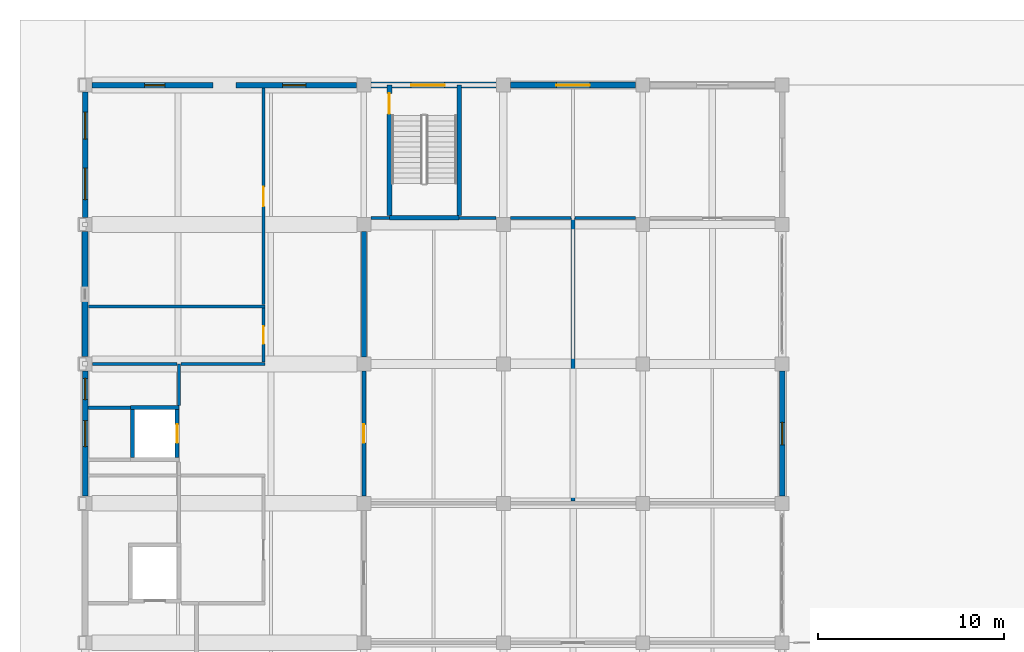
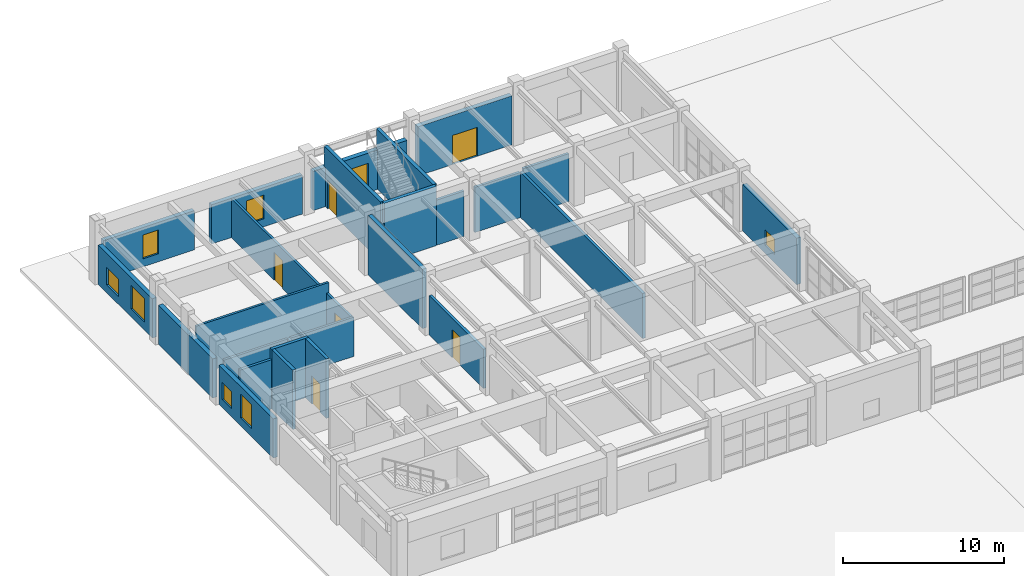
# One storey, part 91 of 122: 28 walls, 7 doors, 7 windows, 14 openings.
"""IFC4 building model written with IfcOpenShell, lengths in metres."""

from ifc_helpers import new_model, si_unit, direction, frame, frame_2d, origin, place, context, subcontext, project, spatial, rectangle, extrude, material, layer, layer_set, type_object, element, fill, save


model = new_model("IFC4")

# Units and contexts
model_context = context("Model", 3, precision=1e-05, world=origin(), true_north=direction((0.0, 1.0)))
body_context = subcontext(model_context, "Body", "Model", "MODEL_VIEW")
ifc_project = project(units=[si_unit("LENGTHUNIT", "METRE"), si_unit("AREAUNIT", "SQUARE_METRE"), si_unit("VOLUMEUNIT", "CUBIC_METRE"), si_unit("PLANEANGLEUNIT", "RADIAN"), si_unit("MASSUNIT", "GRAM", prefix="KILO")], contexts=[model_context])

# Site, building, storey
site_placement = place(None, origin())
site = spatial("IfcSite", under=ifc_project, at=site_placement, CompositionType="ELEMENT")
building_placement = place(site_placement, origin())
building = spatial("IfcBuilding", under=site, at=building_placement, Name="Qasida Concert Hall", CompositionType="ELEMENT")
storey_placement = place(building_placement, origin())
storey = spatial("IfcBuildingStorey", under=building, at=storey_placement, Name="L00", CompositionType="ELEMENT", Elevation=0.0)

# Walls
ifc_material_1 = material(Name="Concrete C40/50", Category="concrete")
ifc_layer_1 = layer(ifc_material_1, 0.219970703125, Name="Concrete C40/50")
ifc_layer_set_1 = layer_set([ifc_layer_1], Name="Concrete C40/50")
wall_type_1 = type_object("IfcWallType", Name="WL-CW-220", PredefinedType="SOLIDWALL", material=ifc_layer_set_1)
wall_1_placement = place(storey_placement, frame((2.43994140625, 95.14990234375, 0.0), z_axis=(0.0, 0.0, 1.0), x_axis=(1.0, 0.0, 0.0)))
element("IfcWall", 1, at=wall_1_placement, inside=storey, type_object=wall_type_1, Name="L00 LF-07 lift shaft wall N", PredefinedType="SOLIDWALL", context=body_context, shape_type="SweptSolid", body=[
    extrude(rectangle(XDim=2.6201171875, YDim=0.219970703125, at=frame_2d((1.31005859375, 0.0))), origin(), (0.0, 0.0, 1.0), 4.5),
])
wall_2_placement = place(storey_placement, frame((2.550048828125, 92.4599609375, 0.0), z_axis=(0.0, 0.0, 1.0), x_axis=(0.0, 1.0, 0.0)))
element("IfcWall", 2, at=wall_2_placement, inside=storey, type_object=wall_type_1, Name="L00 LF-07 lift shaft wall W", PredefinedType="SOLIDWALL", context=body_context, shape_type="SweptSolid", body=[
    extrude(rectangle(XDim=2.580078125, YDim=0.219970703125, at=frame_2d((1.2900390625, 0.0))), origin(), (0.0, 0.0, 1.0), 4.5),
])

# Wall, opening, door
wall_3_placement = place(storey_placement, frame((4.949951171875, 92.4599609375, 0.0), z_axis=(0.0, 0.0, 1.0), x_axis=(0.0, 1.0, 0.0)))
wall_3 = element("IfcWall", 3, at=wall_3_placement, inside=storey, type_object=wall_type_1, Name="L00 LF-07 lift shaft wall E", PredefinedType="SOLIDWALL", context=body_context, shape_type="SweptSolid", body=[
    extrude(rectangle(XDim=2.580078125, YDim=0.219970703125, at=frame_2d((1.2900390625, 0.0))), origin(), (0.0, 0.0, 1.0), 4.5),
])
opening_1_placement = place(wall_3_placement, frame((0.7900390625, 0.0, 0.0)))
opening_1 = element("IfcOpeningElement", 4, at=opening_1_placement, cuts=wall_3, Name="Opening LD-100", PredefinedType="OPENING", context=body_context, shape_type="SweptSolid", body=[
    extrude(rectangle(XDim=1.0, YDim=2.14990234375, at=frame_2d((0.5, 1.074951171875))), frame((0.0, 0.119873046875, 0.0), z_axis=(0.0, -1.0, 0.0), x_axis=(1.0, 0.0, 0.0)), (0.0, 0.0, 1.0), 0.239990234375),
])
ifc_material_2 = material(Name="Brushed bronze passenger lift landing door", Category="steel")
door_type_1 = type_object("IfcDoorType", Name="LD-100", OperationType="SLIDING_TO_LEFT", PredefinedType="DOOR", material=ifc_material_2)
door_1_placement = place(opening_1_placement, origin())
door_1 = element("IfcDoor", 5, at=door_1_placement, inside=storey, type_object=door_type_1, Name="Lift landing door LF-07 L00", OperationType="SLIDING_TO_LEFT", OverallHeight=2.14990234375, OverallWidth=1.0, PredefinedType="DOOR", context=body_context, shape_type="SweptSolid", body=[
    extrude(rectangle(XDim=1.0, YDim=2.14990234375, at=frame_2d((0.5, 1.074951171875))), frame((0.0, 0.02490234375, 0.0), z_axis=(0.0, -1.0, 0.0), x_axis=(1.0, 0.0, 0.0)), (0.0, 0.0, 1.0), 0.050048828125),
])
fill(opening_1, door_1)

# Wall
ifc_layer_2 = layer(ifc_material_1, 0.25, Name="Concrete C40/50")
ifc_layer_set_2 = layer_set([ifc_layer_2], Name="Concrete C40/50")
wall_type_2 = type_object("IfcWallType", Name="WL-CW-250", PredefinedType="SOLIDWALL", material=ifc_layer_set_2)
wall_4_placement = place(storey_placement, frame((16.3798828125, 105.35498046875, 0.0), z_axis=(0.0, 0.0, 1.0), x_axis=(1.0, 0.0, 0.0)))
element("IfcWall", 6, at=wall_4_placement, inside=storey, type_object=wall_type_2, Name="L00 ST-06 stairwell wall S", PredefinedType="SOLIDWALL", context=body_context, shape_type="SweptSolid", body=[
    extrude(rectangle(XDim=3.740234375, YDim=0.25, at=frame_2d((1.8701171875, 0.0))), origin(), (0.0, 0.0, 1.0), 4.5),
])

# Wall, opening, door
wall_5_placement = place(storey_placement, frame((16.375, 105.47998046875, 0.0), z_axis=(0.0, 0.0, 1.0), x_axis=(0.0, 1.0, 0.0)))
wall_5 = element("IfcWall", 7, at=wall_5_placement, inside=storey, type_object=wall_type_2, Name="L00 ST-06 stairwell wall W", PredefinedType="SOLIDWALL", context=body_context, shape_type="SweptSolid", body=[
    extrude(rectangle(XDim=7.02001953125, YDim=0.25, at=frame_2d((3.510009765625, 0.0))), origin(), (0.0, 0.0, 1.0), 4.5),
])
opening_2_placement = place(wall_5_placement, frame((5.469970703125, 0.0, 0.0)))
opening_2 = element("IfcOpeningElement", 8, at=opening_2_placement, cuts=wall_5, Name="Opening FD-110", PredefinedType="OPENING", context=body_context, shape_type="SweptSolid", body=[
    extrude(rectangle(XDim=1.10009765625, YDim=2.14990234375, at=frame_2d((0.550048828125, 1.074951171875))), frame((0.0, 0.135009765625, 0.0), z_axis=(0.0, -1.0, 0.0), x_axis=(1.0, 0.0, 0.0)), (0.0, 0.0, 1.0), 0.27001953125),
])
ifc_material_3 = material(Name="Steel fire-rated stair/lobby door set", Category="steel")
door_type_2 = type_object("IfcDoorType", Name="FD-110", OperationType="NOTDEFINED", PredefinedType="DOOR", material=ifc_material_3)
door_2_placement = place(opening_2_placement, origin())
door_2 = element("IfcDoor", 9, at=door_2_placement, inside=storey, type_object=door_type_2, Name="L00 ST-06 rated stair door", OperationType="SINGLE_SWING_LEFT", OverallHeight=2.14990234375, OverallWidth=1.10009765625, PredefinedType="DOOR", context=body_context, shape_type="SweptSolid", body=[
    extrude(rectangle(XDim=1.10009765625, YDim=2.14990234375, at=frame_2d((0.550048828125, 1.074951171875))), frame((0.0, 0.02490234375, 0.0), z_axis=(0.0, -1.0, 0.0), x_axis=(1.0, 0.0, 0.0)), (0.0, 0.0, 1.0), 0.050048828125),
])
fill(opening_2, door_2)

# Wall
wall_6_placement = place(storey_placement, frame((20.125, 105.47998046875, 0.0), z_axis=(0.0, 0.0, 1.0), x_axis=(0.0, 1.0, 0.0)))
element("IfcWall", 10, at=wall_6_placement, inside=storey, type_object=wall_type_2, Name="L00 ST-06 stairwell wall E", PredefinedType="SOLIDWALL", context=body_context, shape_type="SweptSolid", body=[
    extrude(rectangle(XDim=7.02001953125, YDim=0.25, at=frame_2d((3.510009765625, 0.0))), origin(), (0.0, 0.0, 1.0), 4.5),
])

# Wall, opening, window
ifc_material_4 = material(Name="Precast concrete C40/50", Category="concrete")
ifc_layer_3 = layer(ifc_material_4, 0.300048828125, Name="Precast concrete C40/50")
ifc_layer_set_3 = layer_set([ifc_layer_3], Name="Precast concrete C40/50")
wall_type_3 = type_object("IfcWallType", Name="WL-EW-300", PredefinedType="SOLIDWALL", material=ifc_layer_set_3)
wall_7_placement = place(storey_placement, frame((0.385009765625, 112.5, 0.0), z_axis=(0.0, 0.0, 1.0), x_axis=(1.0, 0.0, 0.0)))
wall_7 = element("IfcWall", 11, at=wall_7_placement, inside=storey, type_object=wall_type_3, Name="L00 exterior wall EW-300 0229", PredefinedType="SOLIDWALL", context=body_context, shape_type="SweptSolid", body=[
    extrude(rectangle(XDim=6.494873046875, YDim=0.300048828125, at=frame_2d((3.24755859375, 0.0))), origin(), (0.0, 0.0, 1.0), 2.969970703125),
])
opening_3_placement = place(wall_7_placement, frame((2.81494140625, 0.0, 0.60009765625)))
opening_3 = element("IfcOpeningElement", 12, at=opening_3_placement, cuts=wall_7, Name="Opening WN-01", PredefinedType="OPENING", context=body_context, shape_type="SweptSolid", body=[
    extrude(rectangle(XDim=1.10009765625, YDim=1.800048828125, at=frame_2d((0.550048828125, 0.89990234375))), frame((0.0, 0.159912109375, 0.0), z_axis=(0.0, -1.0, 0.0), x_axis=(1.0, 0.0, 0.0)), (0.0, 0.0, 1.0), 0.320068359375),
])
ifc_material_5 = material(Name="Bronze-anodized aluminium frame with acoustic low-E glazing", Category="aluminium")
window_type_1 = type_object("IfcWindowType", Name="WN-01", PartitioningType="SINGLE_PANEL", PredefinedType="WINDOW", material=ifc_material_5)
window_1_placement = place(opening_3_placement, origin())
window_1 = element("IfcWindow", 13, at=window_1_placement, inside=storey, type_object=window_type_1, Name="L00 window WN-01 0110", OverallHeight=1.800048828125, OverallWidth=1.10009765625, PartitioningType="SINGLE_PANEL", PredefinedType="WINDOW", context=body_context, shape_type="SweptSolid", body=[
    extrude(rectangle(XDim=1.10009765625, YDim=1.800048828125, at=frame_2d((0.550048828125, 0.89990234375))), frame((0.0, 0.030029296875, 0.0), z_axis=(0.0, -1.0, 0.0), x_axis=(1.0, 0.0, 0.0)), (0.0, 0.0, 1.0), 0.06005859375),
])
fill(opening_3, window_1)

wall_8_placement = place(storey_placement, frame((8.1201171875, 112.5, 0.0), z_axis=(0.0, 0.0, 1.0), x_axis=(1.0, 0.0, 0.0)))
wall_8 = element("IfcWall", 14, at=wall_8_placement, inside=storey, type_object=wall_type_3, Name="L00 exterior wall EW-300 0231", PredefinedType="SOLIDWALL", context=body_context, shape_type="SweptSolid", body=[
    extrude(rectangle(XDim=6.494873046875, YDim=0.300048828125, at=frame_2d((3.24755859375, 0.0))), origin(), (0.0, 0.0, 1.0), 2.969970703125),
])
opening_4_placement = place(wall_8_placement, frame((2.5048828125, 0.0, 0.60009765625)))
opening_4 = element("IfcOpeningElement", 15, at=opening_4_placement, cuts=wall_8, Name="Opening WN-02", PredefinedType="OPENING", context=body_context, shape_type="SweptSolid", body=[
    extrude(rectangle(XDim=1.25, YDim=1.800048828125, at=frame_2d((0.625, 0.89990234375))), frame((0.0, 0.159912109375, 0.0), z_axis=(0.0, -1.0, 0.0), x_axis=(1.0, 0.0, 0.0)), (0.0, 0.0, 1.0), 0.320068359375),
])
window_type_2 = type_object("IfcWindowType", Name="WN-02", PartitioningType="SINGLE_PANEL", PredefinedType="WINDOW", material=ifc_material_5)
window_2_placement = place(opening_4_placement, origin())
window_2 = element("IfcWindow", 16, at=window_2_placement, inside=storey, type_object=window_type_2, Name="L00 window WN-02 0112", OverallHeight=1.800048828125, OverallWidth=1.25, PartitioningType="SINGLE_PANEL", PredefinedType="WINDOW", context=body_context, shape_type="SweptSolid", body=[
    extrude(rectangle(XDim=1.25, YDim=1.800048828125, at=frame_2d((0.625, 0.89990234375))), frame((0.0, 0.030029296875, 0.0), z_axis=(0.0, -1.0, 0.0), x_axis=(1.0, 0.0, 0.0)), (0.0, 0.0, 1.0), 0.06005859375),
])
fill(opening_4, window_2)

# Wall, openings, windows
wall_9_placement = place(storey_placement, frame((0.0, 90.385009765625, 0.0), z_axis=(0.0, 0.0, 1.0), x_axis=(0.0, 1.0, 0.0)))
wall_9 = element("IfcWall", 17, at=wall_9_placement, inside=storey, type_object=wall_type_3, Name="L00 exterior wall EW-300 0239", PredefinedType="SOLIDWALL", context=body_context, shape_type="SweptSolid", body=[
    extrude(rectangle(XDim=6.72998046875, YDim=0.300048828125, at=frame_2d((3.364990234375, 0.0))), origin(), (0.0, 0.0, 1.0), 2.969970703125),
])
opening_5_placement = place(wall_9_placement, frame((2.6650390625, 0.0, 0.60009765625)))
opening_5 = element("IfcOpeningElement", 18, at=opening_5_placement, cuts=wall_9, Name="Opening WN-03", PredefinedType="OPENING", context=body_context, shape_type="SweptSolid", body=[
    extrude(rectangle(XDim=1.39990234375, YDim=1.800048828125, at=frame_2d((0.699951171875, 0.89990234375))), frame((0.0, 0.159912109375, 0.0), z_axis=(0.0, -1.0, 0.0), x_axis=(1.0, 0.0, 0.0)), (0.0, 0.0, 1.0), 0.320068359375),
])
opening_6_placement = place(wall_9_placement, frame((5.1875, 0.0, 0.60009765625)))
opening_6 = element("IfcOpeningElement", 19, at=opening_6_placement, cuts=wall_9, Name="Opening WN-09", PredefinedType="OPENING", context=body_context, shape_type="SweptSolid", body=[
    extrude(rectangle(XDim=1.14990234375, YDim=1.300048828125, at=frame_2d((0.574951171875, 0.64990234375))), frame((0.0, 0.159912109375, 0.0), z_axis=(0.0, -1.0, 0.0), x_axis=(1.0, 0.0, 0.0)), (0.0, 0.0, 1.0), 0.320068359375),
])
window_type_3 = type_object("IfcWindowType", Name="WN-03", PartitioningType="SINGLE_PANEL", PredefinedType="WINDOW", material=ifc_material_5)
window_3_placement = place(opening_5_placement, origin())
window_3 = element("IfcWindow", 20, at=window_3_placement, inside=storey, type_object=window_type_3, Name="L00 window WN-03 0116", OverallHeight=1.800048828125, OverallWidth=1.39990234375, PartitioningType="SINGLE_PANEL", PredefinedType="WINDOW", context=body_context, shape_type="SweptSolid", body=[
    extrude(rectangle(XDim=1.39990234375, YDim=1.800048828125, at=frame_2d((0.699951171875, 0.89990234375))), frame((0.0, 0.030029296875, 0.0), z_axis=(0.0, -1.0, 0.0), x_axis=(1.0, 0.0, 0.0)), (0.0, 0.0, 1.0), 0.06005859375),
])
fill(opening_5, window_3)
window_type_4 = type_object("IfcWindowType", Name="WN-09", PartitioningType="SINGLE_PANEL", PredefinedType="WINDOW", material=ifc_material_5)
window_4_placement = place(opening_6_placement, origin())
window_4 = element("IfcWindow", 21, at=window_4_placement, inside=storey, type_object=window_type_4, Name="L00 window WN-09 0117", OverallHeight=1.300048828125, OverallWidth=1.14990234375, PartitioningType="SINGLE_PANEL", PredefinedType="WINDOW", context=body_context, shape_type="SweptSolid", body=[
    extrude(rectangle(XDim=1.14990234375, YDim=1.300048828125, at=frame_2d((0.574951171875, 0.64990234375))), frame((0.0, 0.030029296875, 0.0), z_axis=(0.0, -1.0, 0.0), x_axis=(1.0, 0.0, 0.0)), (0.0, 0.0, 1.0), 0.06005859375),
])
fill(opening_6, window_4)

# Wall, opening, window
wall_10_placement = place(storey_placement, frame((37.5, 90.385009765625, 0.0), z_axis=(0.0, 0.0, 1.0), x_axis=(0.0, 1.0, 0.0)))
wall_10 = element("IfcWall", 22, at=wall_10_placement, inside=storey, type_object=wall_type_3, Name="L00 exterior wall EW-300 0240", PredefinedType="SOLIDWALL", context=body_context, shape_type="SweptSolid", body=[
    extrude(rectangle(XDim=6.72998046875, YDim=0.300048828125, at=frame_2d((3.364990234375, 0.0))), origin(), (0.0, 0.0, 1.0), 3.52001953125),
])
opening_7_placement = place(wall_10_placement, frame((2.764892578125, 0.0, 0.60009765625)))
opening_7 = element("IfcOpeningElement", 23, at=opening_7_placement, cuts=wall_10, Name="Opening WN-17", PredefinedType="OPENING", context=body_context, shape_type="SweptSolid", body=[
    extrude(rectangle(XDim=1.199951171875, YDim=1.199951171875, at=frame_2d((0.60009765625, 0.60009765625))), frame((0.0, 0.159912109375, 0.0), z_axis=(0.0, -1.0, 0.0), x_axis=(1.0, 0.0, 0.0)), (0.0, 0.0, 1.0), 0.320068359375),
])
window_type_5 = type_object("IfcWindowType", Name="WN-17", PartitioningType="SINGLE_PANEL", PredefinedType="WINDOW", material=ifc_material_5)
window_5_placement = place(opening_7_placement, origin())
window_5 = element("IfcWindow", 24, at=window_5_placement, inside=storey, type_object=window_type_5, Name="L00 window WN-17 0118", OverallHeight=1.199951171875, OverallWidth=1.199951171875, PartitioningType="SINGLE_PANEL", PredefinedType="WINDOW", context=body_context, shape_type="SweptSolid", body=[
    extrude(rectangle(XDim=1.199951171875, YDim=1.199951171875, at=frame_2d((0.60009765625, 0.60009765625))), frame((0.0, 0.030029296875, 0.0), z_axis=(0.0, -1.0, 0.0), x_axis=(1.0, 0.0, 0.0)), (0.0, 0.0, 1.0), 0.06005859375),
])
fill(opening_7, window_5)

# Wall, openings, windows
wall_11_placement = place(storey_placement, frame((0.0, 105.385009765625, 0.0), z_axis=(0.0, 0.0, 1.0), x_axis=(0.0, 1.0, 0.0)))
wall_11 = element("IfcWall", 25, at=wall_11_placement, inside=storey, type_object=wall_type_3, Name="L00 exterior wall EW-300 0242", PredefinedType="SOLIDWALL", context=body_context, shape_type="SweptSolid", body=[
    extrude(rectangle(XDim=6.72998046875, YDim=0.300048828125, at=frame_2d((3.364990234375, 0.0))), origin(), (0.0, 0.0, 1.0), 2.969970703125),
])
opening_8_placement = place(wall_11_placement, frame((0.949951171875, 0.0, 0.60009765625)))
opening_8 = element("IfcOpeningElement", 26, at=opening_8_placement, cuts=wall_11, Name="Opening WN-05", PredefinedType="OPENING", context=body_context, shape_type="SweptSolid", body=[
    extrude(rectangle(XDim=1.699951171875, YDim=1.800048828125, at=frame_2d((0.85009765625, 0.89990234375))), frame((0.0, 0.159912109375, 0.0), z_axis=(0.0, -1.0, 0.0), x_axis=(1.0, 0.0, 0.0)), (0.0, 0.0, 1.0), 0.320068359375),
])
opening_9_placement = place(wall_11_placement, frame((4.205078125, 0.0, 0.60009765625)))
opening_9 = element("IfcOpeningElement", 27, at=opening_9_placement, cuts=wall_11, Name="Opening WN-11", PredefinedType="OPENING", context=body_context, shape_type="SweptSolid", body=[
    extrude(rectangle(XDim=1.449951171875, YDim=1.300048828125, at=frame_2d((0.72509765625, 0.64990234375))), frame((0.0, 0.159912109375, 0.0), z_axis=(0.0, -1.0, 0.0), x_axis=(1.0, 0.0, 0.0)), (0.0, 0.0, 1.0), 0.320068359375),
])
window_type_6 = type_object("IfcWindowType", Name="WN-05", PartitioningType="SINGLE_PANEL", PredefinedType="WINDOW", material=ifc_material_5)
window_6_placement = place(opening_8_placement, origin())
window_6 = element("IfcWindow", 28, at=window_6_placement, inside=storey, type_object=window_type_6, Name="L00 window WN-05 0119", OverallHeight=1.800048828125, OverallWidth=1.699951171875, PartitioningType="SINGLE_PANEL", PredefinedType="WINDOW", context=body_context, shape_type="SweptSolid", body=[
    extrude(rectangle(XDim=1.699951171875, YDim=1.800048828125, at=frame_2d((0.85009765625, 0.89990234375))), frame((0.0, 0.030029296875, 0.0), z_axis=(0.0, -1.0, 0.0), x_axis=(1.0, 0.0, 0.0)), (0.0, 0.0, 1.0), 0.06005859375),
])
fill(opening_8, window_6)
window_type_7 = type_object("IfcWindowType", Name="WN-11", PartitioningType="SINGLE_PANEL", PredefinedType="WINDOW", material=ifc_material_5)
window_7_placement = place(opening_9_placement, origin())
window_7 = element("IfcWindow", 29, at=window_7_placement, inside=storey, type_object=window_type_7, Name="L00 window WN-11 0120", OverallHeight=1.300048828125, OverallWidth=1.449951171875, PartitioningType="SINGLE_PANEL", PredefinedType="WINDOW", context=body_context, shape_type="SweptSolid", body=[
    extrude(rectangle(XDim=1.449951171875, YDim=1.300048828125, at=frame_2d((0.72509765625, 0.64990234375))), frame((0.0, 0.030029296875, 0.0), z_axis=(0.0, -1.0, 0.0), x_axis=(1.0, 0.0, 0.0)), (0.0, 0.0, 1.0), 0.06005859375),
])
fill(opening_9, window_7)

# Wall
ifc_layer_4 = layer(ifc_material_4, 0.320068359375, Name="Precast concrete C40/50")
ifc_layer_set_4 = layer_set([ifc_layer_4], Name="Precast concrete C40/50")
wall_type_4 = type_object("IfcWallType", Name="WL-EW-320", PredefinedType="SOLIDWALL", material=ifc_layer_set_4)
wall_12_placement = place(storey_placement, frame((0.0, 97.885009765625, 0.0), z_axis=(0.0, 0.0, 1.0), x_axis=(0.0, 1.0, 0.0)))
element("IfcWall", 30, at=wall_12_placement, inside=storey, type_object=wall_type_4, Name="L00 exterior wall EW-320 0241", PredefinedType="SOLIDWALL", context=body_context, shape_type="SweptSolid", body=[
    extrude(rectangle(XDim=6.72998046875, YDim=0.320068359375, at=frame_2d((3.364990234375, 0.0))), origin(), (0.0, 0.0, 1.0), 2.969970703125),
])

# Wall, opening, door
ifc_layer_5 = layer(ifc_material_4, 0.340087890625, Name="Precast concrete C40/50")
ifc_layer_set_5 = layer_set([ifc_layer_5], Name="Precast concrete C40/50")
wall_type_5 = type_object("IfcWallType", Name="WL-EW-340", PredefinedType="SOLIDWALL", material=ifc_layer_set_5)
wall_13_placement = place(storey_placement, frame((15.385009765625, 112.5, 0.0), z_axis=(0.0, 0.0, 1.0), x_axis=(1.0, 0.0, 0.0)))
wall_13 = element("IfcWall", 31, at=wall_13_placement, inside=storey, type_object=wall_type_5, Name="L00 exterior wall EW-340 0232", PredefinedType="SOLIDWALL", context=body_context, shape_type="SweptSolid", body=[
    extrude(rectangle(XDim=6.72998046875, YDim=0.340087890625, at=frame_2d((3.364990234375, 0.0))), origin(), (0.0, 0.0, 1.0), 2.969970703125),
])
opening_10_placement = place(wall_13_placement, frame((2.152099609375, 0.0, 0.0)))
opening_10 = element("IfcOpeningElement", 32, at=opening_10_placement, cuts=wall_13, Name="Opening ED-180", PredefinedType="OPENING", context=body_context, shape_type="SweptSolid", body=[
    extrude(rectangle(XDim=1.800048828125, YDim=2.199951171875, at=frame_2d((0.89990234375, 1.10009765625))), frame((0.0, 0.179931640625, 0.0), z_axis=(0.0, -1.0, 0.0), x_axis=(1.0, 0.0, 0.0)), (0.0, 0.0, 1.0), 0.360107421875),
])
ifc_material_6 = material(Name="Patinated architectural bronze and laminated safety glass", Category="glass")
door_type_3 = type_object("IfcDoorType", Name="ED-180", OperationType="NOTDEFINED", PredefinedType="DOOR", material=ifc_material_6)
door_3_placement = place(opening_10_placement, origin())
door_3 = element("IfcDoor", 33, at=door_3_placement, inside=storey, type_object=door_type_3, Name="Exit stair ST-06 final discharge door", OperationType="SINGLE_SWING_RIGHT", OverallHeight=2.199951171875, OverallWidth=1.800048828125, PredefinedType="DOOR", context=body_context, shape_type="SweptSolid", body=[
    extrude(rectangle(XDim=1.800048828125, YDim=2.199951171875, at=frame_2d((0.89990234375, 1.10009765625))), frame((0.0, 0.02490234375, 0.0), z_axis=(0.0, -1.0, 0.0), x_axis=(1.0, 0.0, 0.0)), (0.0, 0.0, 1.0), 0.050048828125),
])
fill(opening_10, door_3)

wall_14_placement = place(storey_placement, frame((22.885009765625, 112.5, 0.0), z_axis=(0.0, 0.0, 1.0), x_axis=(1.0, 0.0, 0.0)))
wall_14 = element("IfcWall", 34, at=wall_14_placement, inside=storey, type_object=wall_type_5, Name="L00 exterior wall EW-340 0234", PredefinedType="SOLIDWALL", context=body_context, shape_type="SweptSolid", body=[
    extrude(rectangle(XDim=6.72998046875, YDim=0.340087890625, at=frame_2d((3.364990234375, 0.0))), origin(), (0.0, 0.0, 1.0), 3.719970703125),
])
opening_11_placement = place(wall_14_placement, frame((2.465087890625, 0.0, 0.0)))
opening_11 = element("IfcOpeningElement", 35, at=opening_11_placement, cuts=wall_14, Name="Opening ED-180", PredefinedType="OPENING", context=body_context, shape_type="SweptSolid", body=[
    extrude(rectangle(XDim=1.800048828125, YDim=2.199951171875, at=frame_2d((0.89990234375, 1.10009765625))), frame((0.0, 0.179931640625, 0.0), z_axis=(0.0, -1.0, 0.0), x_axis=(1.0, 0.0, 0.0)), (0.0, 0.0, 1.0), 0.360107421875),
])
door_4_placement = place(opening_11_placement, origin())
door_4 = element("IfcDoor", 36, at=door_4_placement, inside=storey, type_object=door_type_3, Name="Artists and Fire Command north exit door", OperationType="SINGLE_SWING_LEFT", OverallHeight=2.199951171875, OverallWidth=1.800048828125, PredefinedType="DOOR", context=body_context, shape_type="SweptSolid", body=[
    extrude(rectangle(XDim=1.800048828125, YDim=2.199951171875, at=frame_2d((0.89990234375, 1.10009765625))), frame((0.0, 0.02490234375, 0.0), z_axis=(0.0, -1.0, 0.0), x_axis=(1.0, 0.0, 0.0)), (0.0, 0.0, 1.0), 0.050048828125),
])
fill(opening_11, door_4)

# Walls
ifc_material_7 = material(Name="Moisture-resistant gypsum partition", Category="gypsum")
ifc_layer_6 = layer(ifc_material_7, 0.159912109375, Name="Moisture-resistant gypsum partition")
ifc_layer_set_6 = layer_set([ifc_layer_6], Name="Moisture-resistant gypsum partition")
wall_type_6 = type_object("IfcWallType", Name="WL-PW-160", PredefinedType="PARTITIONING", material=ifc_layer_set_6)
wall_15_placement = place(storey_placement, frame((0.388916015625, 97.5, 0.0), z_axis=(0.0, 0.0, 1.0), x_axis=(1.0, 0.0, 0.0)))
element("IfcWall", 37, at=wall_15_placement, inside=storey, type_object=wall_type_6, Name="L00 partition PW-160 0259", PredefinedType="PARTITIONING", context=body_context, shape_type="SweptSolid", body=[
    extrude(rectangle(XDim=4.55712890625, YDim=0.159912109375, at=frame_2d((2.278564453125, 0.0))), origin(), (0.0, 0.0, 1.0), 2.969970703125),
])
wall_16_placement = place(storey_placement, frame((5.154052734375, 97.5, 0.0), z_axis=(0.0, 0.0, 1.0), x_axis=(1.0, 0.0, 0.0)))
element("IfcWall", 38, at=wall_16_placement, inside=storey, type_object=wall_type_6, Name="L00 partition PW-160 0260", PredefinedType="PARTITIONING", context=body_context, shape_type="SweptSolid", body=[
    extrude(rectangle(XDim=4.52587890625, YDim=0.159912109375, at=frame_2d((2.262939453125, 0.0))), origin(), (0.0, 0.0, 1.0), 2.969970703125),
])
wall_17_placement = place(storey_placement, frame((0.174072265625, 100.60009765625, 0.0), z_axis=(0.0, 0.0, 1.0), x_axis=(1.0, 0.0, 0.0)))
element("IfcWall", 39, at=wall_17_placement, inside=storey, type_object=wall_type_6, Name="L00 partition PW-160 0261", PredefinedType="PARTITIONING", context=body_context, shape_type="SweptSolid", body=[
    extrude(rectangle(XDim=9.505859375, YDim=0.159912109375, at=frame_2d((4.7529296875, 0.0))), origin(), (0.0, 0.0, 1.0), 3.719970703125),
])

# Wall, opening, door
wall_18_placement = place(storey_placement, frame((9.60009765625, 97.593994140625, 0.0), z_axis=(0.0, 0.0, 1.0), x_axis=(0.0, 1.0, 0.0)))
wall_18 = element("IfcWall", 40, at=wall_18_placement, inside=storey, type_object=wall_type_6, Name="L00 partition PW-160 0262", PredefinedType="PARTITIONING", context=body_context, shape_type="SweptSolid", body=[
    extrude(rectangle(XDim=2.912109375, YDim=0.159912109375, at=frame_2d((1.4560546875, 0.0))), origin(), (0.0, 0.0, 1.0), 2.969970703125),
])
opening_12_placement = place(wall_18_placement, frame((0.98095703125, 0.0, 0.0)))
opening_12 = element("IfcOpeningElement", 41, at=opening_12_placement, cuts=wall_18, Name="Opening ID-095", PredefinedType="OPENING", context=body_context, shape_type="SweptSolid", body=[
    extrude(rectangle(XDim=0.949951171875, YDim=2.10009765625, at=frame_2d((0.47509765625, 1.050048828125))), frame((0.0, 0.08984375, 0.0), z_axis=(0.0, -1.0, 0.0), x_axis=(1.0, 0.0, 0.0)), (0.0, 0.0, 1.0), 0.179931640625),
])
ifc_material_8 = material(Name="Quarter-sawn oak accessible WC door", Category="wood")
door_type_4 = type_object("IfcDoorType", Name="ID-095", OperationType="NOTDEFINED", PredefinedType="DOOR", material=ifc_material_8)
door_5_placement = place(opening_12_placement, origin())
door_5 = element("IfcDoor", 42, at=door_5_placement, inside=storey, type_object=door_type_4, Name="L00 Conservatory accessible WC door", OperationType="SINGLE_SWING_LEFT", OverallHeight=2.10009765625, OverallWidth=0.949951171875, PredefinedType="DOOR", context=body_context, shape_type="SweptSolid", body=[
    extrude(rectangle(XDim=0.949951171875, YDim=2.10009765625, at=frame_2d((0.47509765625, 1.050048828125))), frame((0.0, 0.02490234375, 0.0), z_axis=(0.0, -1.0, 0.0), x_axis=(1.0, 0.0, 0.0)), (0.0, 0.0, 1.0), 0.050048828125),
])
fill(opening_12, door_5)

wall_19_placement = place(storey_placement, frame((9.60009765625, 100.694091796875, 0.0), z_axis=(0.0, 0.0, 1.0), x_axis=(0.0, 1.0, 0.0)))
wall_19 = element("IfcWall", 43, at=wall_19_placement, inside=storey, type_object=wall_type_6, Name="L00 partition PW-160 0263", PredefinedType="PARTITIONING", context=body_context, shape_type="SweptSolid", body=[
    extrude(rectangle(XDim=11.641845703125, YDim=0.159912109375, at=frame_2d((5.82080078125, 0.0))), origin(), (0.0, 0.0, 1.0), 2.969970703125),
])
opening_13_placement = place(wall_19_placement, frame((5.281005859375, 0.0, 0.0)))
opening_13 = element("IfcOpeningElement", 44, at=opening_13_placement, cuts=wall_19, Name="Opening ID-105", PredefinedType="OPENING", context=body_context, shape_type="SweptSolid", body=[
    extrude(rectangle(XDim=1.050048828125, YDim=2.1201171875, at=frame_2d((0.52490234375, 1.06005859375))), frame((0.0, 0.08984375, 0.0), z_axis=(0.0, -1.0, 0.0), x_axis=(1.0, 0.0, 0.0)), (0.0, 0.0, 1.0), 0.179931640625),
])
ifc_material_9 = material(Name="Quarter-sawn oak practice studio door", Category="wood")
door_type_5 = type_object("IfcDoorType", Name="ID-105", OperationType="NOTDEFINED", PredefinedType="DOOR", material=ifc_material_9)
door_6_placement = place(opening_13_placement, origin())
door_6 = element("IfcDoor", 45, at=door_6_placement, inside=storey, type_object=door_type_5, Name="L00 Ensemble warmup room door", OperationType="SINGLE_SWING_RIGHT", OverallHeight=2.1201171875, OverallWidth=1.050048828125, PredefinedType="DOOR", context=body_context, shape_type="SweptSolid", body=[
    extrude(rectangle(XDim=1.050048828125, YDim=2.1201171875, at=frame_2d((0.52490234375, 1.06005859375))), frame((0.0, 0.02490234375, 0.0), z_axis=(0.0, -1.0, 0.0), x_axis=(1.0, 0.0, 0.0)), (0.0, 0.0, 1.0), 0.050048828125),
])
fill(opening_13, door_6)

# Walls
ifc_material_10 = material(Name="Acoustic metal-stud gypsum partition", Category="gypsum")
ifc_layer_7 = layer(ifc_material_10, 0.179931640625, Name="Acoustic metal-stud gypsum partition")
ifc_layer_set_7 = layer_set([ifc_layer_7], Name="Acoustic metal-stud gypsum partition")
wall_type_7 = type_object("IfcWallType", Name="WL-PW-180", PredefinedType="PARTITIONING", material=ifc_layer_set_7)
wall_20_placement = place(storey_placement, frame((0.1640625, 95.14990234375, 0.0), z_axis=(0.0, 0.0, 1.0), x_axis=(1.0, 0.0, 0.0)))
element("IfcWall", 46, at=wall_20_placement, inside=storey, type_object=wall_type_7, Name="L00 partition PW-180 0256", PredefinedType="PARTITIONING", context=body_context, shape_type="SweptSolid", body=[
    extrude(rectangle(XDim=2.27587890625, YDim=0.179931640625, at=frame_2d((1.137939453125, 0.0))), origin(), (0.0, 0.0, 1.0), 3.719970703125),
])
wall_21_placement = place(storey_placement, frame((5.050048828125, 95.27392578125, 0.0), z_axis=(0.0, 0.0, 1.0), x_axis=(0.0, 1.0, 0.0)))
element("IfcWall", 47, at=wall_21_placement, inside=storey, type_object=wall_type_7, Name="L00 partition PW-180 0258", PredefinedType="PARTITIONING", context=body_context, shape_type="SweptSolid", body=[
    extrude(rectangle(XDim=2.22607421875, YDim=0.179931640625, at=frame_2d((1.113037109375, 0.0))), origin(), (0.0, 0.0, 1.0), 2.969970703125),
])
wall_22_placement = place(storey_placement, frame((15.388916015625, 105.35009765625, 0.0), z_axis=(0.0, 0.0, 1.0), x_axis=(1.0, 0.0, 0.0)))
element("IfcWall", 48, at=wall_22_placement, inside=storey, type_object=wall_type_7, Name="L00 partition PW-180 0264", PredefinedType="PARTITIONING", context=body_context, shape_type="SweptSolid", body=[
    extrude(rectangle(XDim=0.990966796875, YDim=0.179931640625, at=frame_2d((0.49560546875, 0.0))), origin(), (0.0, 0.0, 1.0), 2.969970703125),
])
wall_23_placement = place(storey_placement, frame((20.1201171875, 105.35009765625, 0.0), z_axis=(0.0, 0.0, 1.0), x_axis=(1.0, 0.0, 0.0)))
element("IfcWall", 49, at=wall_23_placement, inside=storey, type_object=wall_type_7, Name="L00 partition PW-180 0272", PredefinedType="PARTITIONING", context=body_context, shape_type="SweptSolid", body=[
    extrude(rectangle(XDim=1.990966796875, YDim=0.179931640625, at=frame_2d((0.99560546875, 0.0))), origin(), (0.0, 0.0, 1.0), 3.419921875),
])
wall_24_placement = place(storey_placement, frame((22.888916015625, 105.35009765625, 0.0), z_axis=(0.0, 0.0, 1.0), x_axis=(1.0, 0.0, 0.0)))
element("IfcWall", 50, at=wall_24_placement, inside=storey, type_object=wall_type_7, Name="L00 partition PW-180 0273", PredefinedType="PARTITIONING", context=body_context, shape_type="SweptSolid", body=[
    extrude(rectangle(XDim=3.2470703125, YDim=0.179931640625, at=frame_2d((1.62353515625, 0.0))), origin(), (0.0, 0.0, 1.0), 3.419921875),
])
wall_25_placement = place(storey_placement, frame((26.364013671875, 105.35009765625, 0.0), z_axis=(0.0, 0.0, 1.0), x_axis=(1.0, 0.0, 0.0)))
element("IfcWall", 51, at=wall_25_placement, inside=storey, type_object=wall_type_7, Name="L00 partition PW-180 0274", PredefinedType="PARTITIONING", context=body_context, shape_type="SweptSolid", body=[
    extrude(rectangle(XDim=3.2470703125, YDim=0.179931640625, at=frame_2d((1.62353515625, 0.0))), origin(), (0.0, 0.0, 1.0), 3.6201171875),
])
ifc_material_11 = material(Name="Acoustic gypsum block and mineral wool", Category="gypsum")
ifc_layer_8 = layer(ifc_material_11, 0.199951171875, Name="Acoustic gypsum block and mineral wool")
ifc_layer_set_8 = layer_set([ifc_layer_8], Name="Acoustic gypsum block and mineral wool")
wall_type_8 = type_object("IfcWallType", Name="WL-PW-200", PredefinedType="PARTITIONING", material=ifc_layer_set_8)
wall_26_placement = place(storey_placement, frame((26.25, 90.114013671875, 0.0), z_axis=(0.0, 0.0, 1.0), x_axis=(0.0, 1.0, 0.0)))
element("IfcWall", 52, at=wall_26_placement, inside=storey, type_object=wall_type_8, Name="L00 partition PW-200 0271", PredefinedType="PARTITIONING", context=body_context, shape_type="SweptSolid", body=[
    extrude(rectangle(XDim=15.236083984375, YDim=0.199951171875, at=frame_2d((7.6181640625, 0.0))), origin(), (0.0, 0.0, 1.0), 3.419921875),
])

# Wall, opening, door
wall_27_placement = place(storey_placement, frame((15.0, 90.388916015625, 0.0), z_axis=(0.0, 0.0, 1.0), x_axis=(0.0, 1.0, 0.0)))
wall_27 = element("IfcWall", 53, at=wall_27_placement, inside=storey, type_object=wall_type_8, Name="L00 partition PW-200 0277", PredefinedType="PARTITIONING", context=body_context, shape_type="SweptSolid", body=[
    extrude(rectangle(XDim=6.72216796875, YDim=0.199951171875, at=frame_2d((3.361083984375, 0.0))), origin(), (0.0, 0.0, 1.0), 2.969970703125),
])
opening_14_placement = place(wall_27_placement, frame((2.861083984375, 0.0, 0.0)))
opening_14 = element("IfcOpeningElement", 54, at=opening_14_placement, cuts=wall_27, Name="Opening ID-100", PredefinedType="OPENING", context=body_context, shape_type="SweptSolid", body=[
    extrude(rectangle(XDim=1.0, YDim=2.1201171875, at=frame_2d((0.5, 1.06005859375))), frame((0.0, 0.10986328125, 0.0), z_axis=(0.0, -1.0, 0.0), x_axis=(1.0, 0.0, 0.0)), (0.0, 0.0, 1.0), 0.219970703125),
])
ifc_material_12 = material(Name="Quarter-sawn oak dressing suite door", Category="wood")
door_type_6 = type_object("IfcDoorType", Name="ID-100", OperationType="NOTDEFINED", PredefinedType="DOOR", material=ifc_material_12)
door_7_placement = place(opening_14_placement, origin())
door_7 = element("IfcDoor", 55, at=door_7_placement, inside=storey, type_object=door_type_6, Name="L00 Principal conductor suite door", OperationType="SINGLE_SWING_RIGHT", OverallHeight=2.1201171875, OverallWidth=1.0, PredefinedType="DOOR", context=body_context, shape_type="SweptSolid", body=[
    extrude(rectangle(XDim=1.0, YDim=2.1201171875, at=frame_2d((0.5, 1.06005859375))), frame((0.0, 0.02490234375, 0.0), z_axis=(0.0, -1.0, 0.0), x_axis=(1.0, 0.0, 0.0)), (0.0, 0.0, 1.0), 0.050048828125),
])
fill(opening_14, door_7)

# Wall
ifc_layer_9 = layer(ifc_material_1, 0.280029296875, Name="Concrete C40/50")
ifc_layer_set_9 = layer_set([ifc_layer_9], Name="Concrete C40/50")
wall_type_9 = type_object("IfcWallType", Name="WL-SW-280", PredefinedType="SHEAR", material=ifc_layer_set_9)
wall_28_placement = place(storey_placement, frame((15.0, 97.875, 0.0), z_axis=(0.0, 0.0, 1.0), x_axis=(0.0, 1.0, 0.0)))
element("IfcWall", 56, at=wall_28_placement, inside=storey, type_object=wall_type_9, Name="L00 V5 conservatory shear wall 0014", PredefinedType="SHEAR", context=body_context, shape_type="SweptSolid", body=[
    extrude(rectangle(XDim=6.75, YDim=0.280029296875, at=frame_2d((3.375, 0.0))), origin(), (0.0, 0.0, 1.0), 4.5),
])

save(model, "model.ifc")
